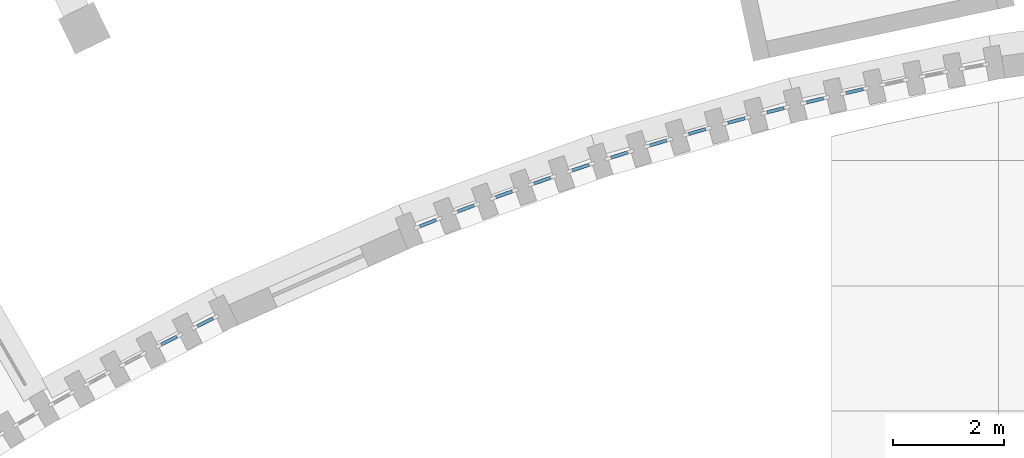
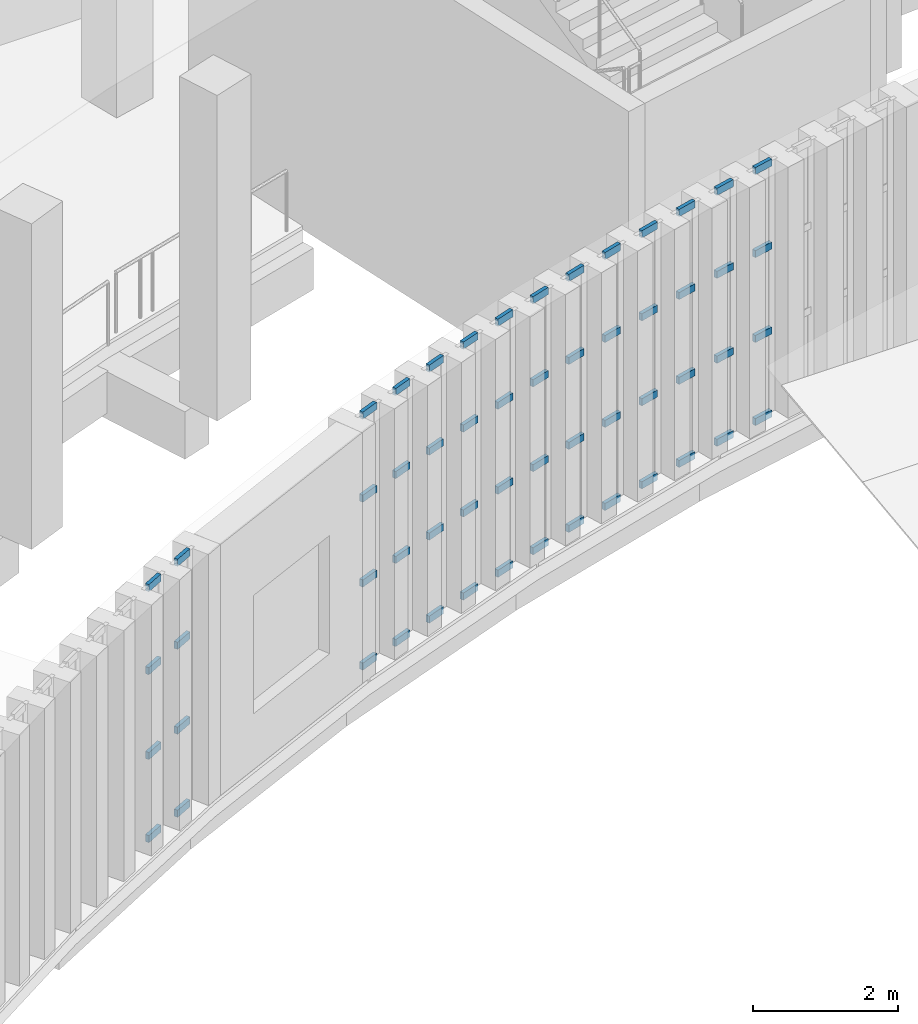
# One storey, part 33 of 112: 56 members, 14 elements without a shape of their own.
"""IFC4 building model written with IfcOpenShell, lengths in metres."""

from ifc_helpers import new_model, si_unit, direction, frame, origin, origin_2d, place, context, subcontext, project, spatial, rectangle, extrude, material, layer, layer_set, material_profile, profile_set, type_object, element, aggregate, save


model = new_model("IFC4")

# Units and contexts
model_context = context("Model", 3, precision=1e-05, world=origin(), true_north=direction((0.0, 1.0)))
body_context = subcontext(model_context, "Body", "Model", "MODEL_VIEW")
ifc_project = project(units=[si_unit("LENGTHUNIT", "METRE"), si_unit("AREAUNIT", "SQUARE_METRE"), si_unit("VOLUMEUNIT", "CUBIC_METRE"), si_unit("PLANEANGLEUNIT", "RADIAN"), si_unit("MASSUNIT", "GRAM", prefix="KILO")], contexts=[model_context])

# Site, building, storey
site_placement = place(None, origin())
site = spatial("IfcSite", under=ifc_project, at=site_placement, CompositionType="ELEMENT")
building_placement = place(site_placement, origin())
building = spatial("IfcBuilding", under=site, at=building_placement, Name="Lunette Opera House", CompositionType="ELEMENT")
storey_placement = place(building_placement, frame((0.0, 0.0, 6.0)))
storey = spatial("IfcBuildingStorey", under=building, at=storey_placement, Name="L01", CompositionType="ELEMENT", Elevation=6.0)

# Curtain wall, members
ifc_material_1 = material(Name="Aluminium", Category="aluminium")
ifc_layer = layer(ifc_material_1, 0.1201171875)
ifc_layer_set = layer_set([ifc_layer], Name="Aluminium")
curtain_wall_type = type_object("IfcCurtainWallType", Name="SLOT CURTAIN WALL", PredefinedType="NOTDEFINED", material=ifc_layer_set)
curtain_wall_1_placement = place(storey_placement, origin())
curtain_wall_1 = element("IfcCurtainWall", 1, at=curtain_wall_1_placement, inside=storey, type_object=curtain_wall_type, Name="Slot Curtain Wall CS019 L01", PredefinedType="NOTDEFINED")
ifc_material_2 = material(Name="Aluminium", Category="aluminium")
ifc_material_profile = material_profile(ifc_material_2, rectangle(XDim=0.06005859375, YDim=0.1201171875, at=origin_2d()), Name="TRANSOM 60 X 120")
ifc_profile_set = profile_set([ifc_material_profile], Name="Aluminium")
member_type = type_object("IfcMemberType", Name="TRANSOM 60 X 120", PredefinedType="USERDEFINED", material=ifc_profile_set)
member_1_placement = place(storey_placement, frame((71.956298828125, 46.4453125, 0.030029296875), z_axis=(0.889644962641, 0.456652866462, 0.0), x_axis=(-0.456652866462, 0.889644962641, 0.0)))
member_1 = element("IfcMember", 2, at=member_1_placement, type_object=member_type, Name="FC-X2038 transom 1.1", ObjectType="TRANSOM", PredefinedType="USERDEFINED", context=body_context, shape_type="SweptSolid", body=[
    extrude(rectangle(XDim=0.06005859375, YDim=0.1201171875, at=origin_2d()), origin(), (0.0, 0.0, 1.0), 0.3095703125),
])
member_2_placement = place(storey_placement, frame((71.956298828125, 46.4453125, 1.43310546875), z_axis=(0.889644962641, 0.456652866462, 0.0), x_axis=(-0.456652866462, 0.889644962641, 0.0)))
member_2 = element("IfcMember", 3, at=member_2_placement, type_object=member_type, Name="FC-X2038 transom 1.2", ObjectType="TRANSOM", PredefinedType="USERDEFINED", context=body_context, shape_type="SweptSolid", body=[
    extrude(rectangle(XDim=0.06005859375, YDim=0.1201171875, at=origin_2d()), origin(), (0.0, 0.0, 1.0), 0.3095703125),
])
member_3_placement = place(storey_placement, frame((71.956298828125, 46.4453125, 2.866943359375), z_axis=(0.889644962641, 0.456652866462, 0.0), x_axis=(-0.456652866462, 0.889644962641, 0.0)))
member_3 = element("IfcMember", 4, at=member_3_placement, type_object=member_type, Name="FC-X2038 transom 1.3", ObjectType="TRANSOM", PredefinedType="USERDEFINED", context=body_context, shape_type="SweptSolid", body=[
    extrude(rectangle(XDim=0.06005859375, YDim=0.1201171875, at=origin_2d()), origin(), (0.0, 0.0, 1.0), 0.3095703125),
])
member_4_placement = place(storey_placement, frame((71.956298828125, 46.4453125, 4.27001953125), z_axis=(0.889644962641, 0.456652866462, 0.0), x_axis=(-0.456652866462, 0.889644962641, 0.0)))
member_4 = element("IfcMember", 5, at=member_4_placement, type_object=member_type, Name="FC-X2038 transom 1.4", ObjectType="TRANSOM", PredefinedType="USERDEFINED", context=body_context, shape_type="SweptSolid", body=[
    extrude(rectangle(XDim=0.06005859375, YDim=0.1201171875, at=origin_2d()), origin(), (0.0, 0.0, 1.0), 0.3095703125),
])
aggregate(curtain_wall_1, [member_1, member_2, member_3, member_4])

curtain_wall_2_placement = place(storey_placement, origin())
curtain_wall_2 = element("IfcCurtainWall", 6, at=curtain_wall_2_placement, inside=storey, type_object=curtain_wall_type, Name="Slot Curtain Wall CS020 L01", PredefinedType="NOTDEFINED")
member_5_placement = place(storey_placement, frame((72.606689453125, 46.776611328125, 0.030029296875), z_axis=(0.895840911293, 0.444374911143, 0.0), x_axis=(-0.444374911143, 0.895840911293, 0.0)))
member_5 = element("IfcMember", 7, at=member_5_placement, type_object=member_type, Name="FC-X2040 transom 1.1", ObjectType="TRANSOM", PredefinedType="USERDEFINED", context=body_context, shape_type="SweptSolid", body=[
    extrude(rectangle(XDim=0.06005859375, YDim=0.1201171875, at=origin_2d()), origin(), (0.0, 0.0, 1.0), 0.309814453125),
])
member_6_placement = place(storey_placement, frame((72.606689453125, 46.776611328125, 1.43310546875), z_axis=(0.895840911293, 0.444374911143, 0.0), x_axis=(-0.444374911143, 0.895840911293, 0.0)))
member_6 = element("IfcMember", 8, at=member_6_placement, type_object=member_type, Name="FC-X2040 transom 1.2", ObjectType="TRANSOM", PredefinedType="USERDEFINED", context=body_context, shape_type="SweptSolid", body=[
    extrude(rectangle(XDim=0.06005859375, YDim=0.1201171875, at=origin_2d()), origin(), (0.0, 0.0, 1.0), 0.309814453125),
])
member_7_placement = place(storey_placement, frame((72.606689453125, 46.776611328125, 2.866943359375), z_axis=(0.895840911293, 0.444374911143, 0.0), x_axis=(-0.444374911143, 0.895840911293, 0.0)))
member_7 = element("IfcMember", 9, at=member_7_placement, type_object=member_type, Name="FC-X2040 transom 1.3", ObjectType="TRANSOM", PredefinedType="USERDEFINED", context=body_context, shape_type="SweptSolid", body=[
    extrude(rectangle(XDim=0.06005859375, YDim=0.1201171875, at=origin_2d()), origin(), (0.0, 0.0, 1.0), 0.309814453125),
])
member_8_placement = place(storey_placement, frame((72.606689453125, 46.776611328125, 4.27001953125), z_axis=(0.895840911293, 0.444374911143, 0.0), x_axis=(-0.444374911143, 0.895840911293, 0.0)))
member_8 = element("IfcMember", 10, at=member_8_placement, type_object=member_type, Name="FC-X2040 transom 1.4", ObjectType="TRANSOM", PredefinedType="USERDEFINED", context=body_context, shape_type="SweptSolid", body=[
    extrude(rectangle(XDim=0.06005859375, YDim=0.1201171875, at=origin_2d()), origin(), (0.0, 0.0, 1.0), 0.309814453125),
])
aggregate(curtain_wall_2, [member_5, member_6, member_7, member_8])

curtain_wall_3_placement = place(storey_placement, origin())
curtain_wall_3 = element("IfcCurtainWall", 11, at=curtain_wall_3_placement, inside=storey, type_object=curtain_wall_type, Name="Slot Curtain Wall CS021 L01", PredefinedType="NOTDEFINED")
member_9_placement = place(storey_placement, frame((76.602783203125, 48.570068359375, 0.030029296875), z_axis=(0.93020476491, 0.367040999533, 0.0), x_axis=(-0.367040999533, 0.93020476491, 0.0)))
member_9 = element("IfcMember", 12, at=member_9_placement, type_object=member_type, Name="FC-X2042 transom 1.1", ObjectType="TRANSOM", PredefinedType="USERDEFINED", context=body_context, shape_type="SweptSolid", body=[
    extrude(rectangle(XDim=0.06005859375, YDim=0.1201171875, at=origin_2d()), origin(), (0.0, 0.0, 1.0), 0.31005859375),
])
member_10_placement = place(storey_placement, frame((76.602783203125, 48.570068359375, 1.43310546875), z_axis=(0.93020476491, 0.367040999533, 0.0), x_axis=(-0.367040999533, 0.93020476491, 0.0)))
member_10 = element("IfcMember", 13, at=member_10_placement, type_object=member_type, Name="FC-X2042 transom 1.2", ObjectType="TRANSOM", PredefinedType="USERDEFINED", context=body_context, shape_type="SweptSolid", body=[
    extrude(rectangle(XDim=0.06005859375, YDim=0.1201171875, at=origin_2d()), origin(), (0.0, 0.0, 1.0), 0.31005859375),
])
member_11_placement = place(storey_placement, frame((76.602783203125, 48.570068359375, 2.866943359375), z_axis=(0.93020476491, 0.367040999533, 0.0), x_axis=(-0.367040999533, 0.93020476491, 0.0)))
member_11 = element("IfcMember", 14, at=member_11_placement, type_object=member_type, Name="FC-X2042 transom 1.3", ObjectType="TRANSOM", PredefinedType="USERDEFINED", context=body_context, shape_type="SweptSolid", body=[
    extrude(rectangle(XDim=0.06005859375, YDim=0.1201171875, at=origin_2d()), origin(), (0.0, 0.0, 1.0), 0.31005859375),
])
member_12_placement = place(storey_placement, frame((76.602783203125, 48.570068359375, 4.27001953125), z_axis=(0.93020476491, 0.367040999533, 0.0), x_axis=(-0.367040999533, 0.93020476491, 0.0)))
member_12 = element("IfcMember", 15, at=member_12_placement, type_object=member_type, Name="FC-X2042 transom 1.4", ObjectType="TRANSOM", PredefinedType="USERDEFINED", context=body_context, shape_type="SweptSolid", body=[
    extrude(rectangle(XDim=0.06005859375, YDim=0.1201171875, at=origin_2d()), origin(), (0.0, 0.0, 1.0), 0.31005859375),
])
aggregate(curtain_wall_3, [member_9, member_10, member_11, member_12])

curtain_wall_4_placement = place(storey_placement, origin())
curtain_wall_4 = element("IfcCurtainWall", 16, at=curtain_wall_4_placement, inside=storey, type_object=curtain_wall_type, Name="Slot Curtain Wall CS022 L01", PredefinedType="NOTDEFINED")
member_13_placement = place(storey_placement, frame((77.283203125, 48.836181640625, 0.030029296875), z_axis=(0.935321497524, 0.353798948937, 0.0), x_axis=(-0.353798948937, 0.935321497524, 0.0)))
member_13 = element("IfcMember", 17, at=member_13_placement, type_object=member_type, Name="FC-X2044 transom 1.1", ObjectType="TRANSOM", PredefinedType="USERDEFINED", context=body_context, shape_type="SweptSolid", body=[
    extrude(rectangle(XDim=0.06005859375, YDim=0.1201171875, at=origin_2d()), origin(), (0.0, 0.0, 1.0), 0.309814453125),
])
member_14_placement = place(storey_placement, frame((77.283203125, 48.836181640625, 1.43310546875), z_axis=(0.935321497524, 0.353798948937, 0.0), x_axis=(-0.353798948937, 0.935321497524, 0.0)))
member_14 = element("IfcMember", 18, at=member_14_placement, type_object=member_type, Name="FC-X2044 transom 1.2", ObjectType="TRANSOM", PredefinedType="USERDEFINED", context=body_context, shape_type="SweptSolid", body=[
    extrude(rectangle(XDim=0.06005859375, YDim=0.1201171875, at=origin_2d()), origin(), (0.0, 0.0, 1.0), 0.309814453125),
])
member_15_placement = place(storey_placement, frame((77.283203125, 48.836181640625, 2.866943359375), z_axis=(0.935321497524, 0.353798948937, 0.0), x_axis=(-0.353798948937, 0.935321497524, 0.0)))
member_15 = element("IfcMember", 19, at=member_15_placement, type_object=member_type, Name="FC-X2044 transom 1.3", ObjectType="TRANSOM", PredefinedType="USERDEFINED", context=body_context, shape_type="SweptSolid", body=[
    extrude(rectangle(XDim=0.06005859375, YDim=0.1201171875, at=origin_2d()), origin(), (0.0, 0.0, 1.0), 0.309814453125),
])
member_16_placement = place(storey_placement, frame((77.283203125, 48.836181640625, 4.27001953125), z_axis=(0.935321497524, 0.353798948937, 0.0), x_axis=(-0.353798948937, 0.935321497524, 0.0)))
member_16 = element("IfcMember", 20, at=member_16_placement, type_object=member_type, Name="FC-X2044 transom 1.4", ObjectType="TRANSOM", PredefinedType="USERDEFINED", context=body_context, shape_type="SweptSolid", body=[
    extrude(rectangle(XDim=0.06005859375, YDim=0.1201171875, at=origin_2d()), origin(), (0.0, 0.0, 1.0), 0.309814453125),
])
aggregate(curtain_wall_4, [member_13, member_14, member_15, member_16])

curtain_wall_5_placement = place(storey_placement, origin())
curtain_wall_5 = element("IfcCurtainWall", 21, at=curtain_wall_5_placement, inside=storey, type_object=curtain_wall_type, Name="Slot Curtain Wall CS023 L01", PredefinedType="NOTDEFINED")
member_17_placement = place(storey_placement, frame((77.96630859375, 49.092529296875, 0.030029296875), z_axis=(0.940114044895, 0.340860063062, 0.0), x_axis=(-0.340860063062, 0.940114044895, 0.0)))
member_17 = element("IfcMember", 22, at=member_17_placement, type_object=member_type, Name="FC-X2046 transom 1.1", ObjectType="TRANSOM", PredefinedType="USERDEFINED", context=body_context, shape_type="SweptSolid", body=[
    extrude(rectangle(XDim=0.06005859375, YDim=0.1201171875, at=origin_2d()), origin(), (0.0, 0.0, 1.0), 0.310791015625),
])
member_18_placement = place(storey_placement, frame((77.96630859375, 49.092529296875, 1.43310546875), z_axis=(0.940114044895, 0.340860063062, 0.0), x_axis=(-0.340860063062, 0.940114044895, 0.0)))
member_18 = element("IfcMember", 23, at=member_18_placement, type_object=member_type, Name="FC-X2046 transom 1.2", ObjectType="TRANSOM", PredefinedType="USERDEFINED", context=body_context, shape_type="SweptSolid", body=[
    extrude(rectangle(XDim=0.06005859375, YDim=0.1201171875, at=origin_2d()), origin(), (0.0, 0.0, 1.0), 0.310791015625),
])
member_19_placement = place(storey_placement, frame((77.96630859375, 49.092529296875, 2.866943359375), z_axis=(0.940114044895, 0.340860063062, 0.0), x_axis=(-0.340860063062, 0.940114044895, 0.0)))
member_19 = element("IfcMember", 24, at=member_19_placement, type_object=member_type, Name="FC-X2046 transom 1.3", ObjectType="TRANSOM", PredefinedType="USERDEFINED", context=body_context, shape_type="SweptSolid", body=[
    extrude(rectangle(XDim=0.06005859375, YDim=0.1201171875, at=origin_2d()), origin(), (0.0, 0.0, 1.0), 0.310791015625),
])
member_20_placement = place(storey_placement, frame((77.96630859375, 49.092529296875, 4.27001953125), z_axis=(0.940114044895, 0.340860063062, 0.0), x_axis=(-0.340860063062, 0.940114044895, 0.0)))
member_20 = element("IfcMember", 25, at=member_20_placement, type_object=member_type, Name="FC-X2046 transom 1.4", ObjectType="TRANSOM", PredefinedType="USERDEFINED", context=body_context, shape_type="SweptSolid", body=[
    extrude(rectangle(XDim=0.06005859375, YDim=0.1201171875, at=origin_2d()), origin(), (0.0, 0.0, 1.0), 0.310791015625),
])
aggregate(curtain_wall_5, [member_17, member_18, member_19, member_20])

curtain_wall_6_placement = place(storey_placement, origin())
curtain_wall_6 = element("IfcCurtainWall", 26, at=curtain_wall_6_placement, inside=storey, type_object=curtain_wall_type, Name="Slot Curtain Wall CS024 L01", PredefinedType="NOTDEFINED")
member_21_placement = place(storey_placement, frame((78.65380859375, 49.339599609375, 0.030029296875), z_axis=(0.944761579041, 0.327758384742, 0.0), x_axis=(-0.327758384742, 0.944761579041, 0.0)))
member_21 = element("IfcMember", 27, at=member_21_placement, type_object=member_type, Name="FC-X2048 transom 1.1", ObjectType="TRANSOM", PredefinedType="USERDEFINED", context=body_context, shape_type="SweptSolid", body=[
    extrude(rectangle(XDim=0.06005859375, YDim=0.1201171875, at=origin_2d()), origin(), (0.0, 0.0, 1.0), 0.310546875),
])
member_22_placement = place(storey_placement, frame((78.65380859375, 49.339599609375, 1.43310546875), z_axis=(0.944761579041, 0.327758384742, 0.0), x_axis=(-0.327758384742, 0.944761579041, 0.0)))
member_22 = element("IfcMember", 28, at=member_22_placement, type_object=member_type, Name="FC-X2048 transom 1.2", ObjectType="TRANSOM", PredefinedType="USERDEFINED", context=body_context, shape_type="SweptSolid", body=[
    extrude(rectangle(XDim=0.06005859375, YDim=0.1201171875, at=origin_2d()), origin(), (0.0, 0.0, 1.0), 0.310546875),
])
member_23_placement = place(storey_placement, frame((78.65380859375, 49.339599609375, 2.866943359375), z_axis=(0.944761579041, 0.327758384742, 0.0), x_axis=(-0.327758384742, 0.944761579041, 0.0)))
member_23 = element("IfcMember", 29, at=member_23_placement, type_object=member_type, Name="FC-X2048 transom 1.3", ObjectType="TRANSOM", PredefinedType="USERDEFINED", context=body_context, shape_type="SweptSolid", body=[
    extrude(rectangle(XDim=0.06005859375, YDim=0.1201171875, at=origin_2d()), origin(), (0.0, 0.0, 1.0), 0.310546875),
])
member_24_placement = place(storey_placement, frame((78.65380859375, 49.339599609375, 4.27001953125), z_axis=(0.944761579041, 0.327758384742, 0.0), x_axis=(-0.327758384742, 0.944761579041, 0.0)))
member_24 = element("IfcMember", 30, at=member_24_placement, type_object=member_type, Name="FC-X2048 transom 1.4", ObjectType="TRANSOM", PredefinedType="USERDEFINED", context=body_context, shape_type="SweptSolid", body=[
    extrude(rectangle(XDim=0.06005859375, YDim=0.1201171875, at=origin_2d()), origin(), (0.0, 0.0, 1.0), 0.310546875),
])
aggregate(curtain_wall_6, [member_21, member_22, member_23, member_24])

curtain_wall_7_placement = place(storey_placement, origin())
curtain_wall_7 = element("IfcCurtainWall", 31, at=curtain_wall_7_placement, inside=storey, type_object=curtain_wall_type, Name="Slot Curtain Wall CS025 L01", PredefinedType="NOTDEFINED")
member_25_placement = place(storey_placement, frame((79.344970703125, 49.576904296875, 0.030029296875), z_axis=(0.948604546286, 0.316463923325, 0.0), x_axis=(-0.316463923325, 0.948604546286, 0.0)))
member_25 = element("IfcMember", 32, at=member_25_placement, type_object=member_type, Name="FC-X2050 transom 1.1", ObjectType="TRANSOM", PredefinedType="USERDEFINED", context=body_context, shape_type="SweptSolid", body=[
    extrude(rectangle(XDim=0.06005859375, YDim=0.1201171875, at=origin_2d()), origin(), (0.0, 0.0, 1.0), 0.31005859375),
])
member_26_placement = place(storey_placement, frame((79.344970703125, 49.576904296875, 1.43310546875), z_axis=(0.948604546286, 0.316463923325, 0.0), x_axis=(-0.316463923325, 0.948604546286, 0.0)))
member_26 = element("IfcMember", 33, at=member_26_placement, type_object=member_type, Name="FC-X2050 transom 1.2", ObjectType="TRANSOM", PredefinedType="USERDEFINED", context=body_context, shape_type="SweptSolid", body=[
    extrude(rectangle(XDim=0.06005859375, YDim=0.1201171875, at=origin_2d()), origin(), (0.0, 0.0, 1.0), 0.31005859375),
])
member_27_placement = place(storey_placement, frame((79.344970703125, 49.576904296875, 2.866943359375), z_axis=(0.948604546286, 0.316463923325, 0.0), x_axis=(-0.316463923325, 0.948604546286, 0.0)))
member_27 = element("IfcMember", 34, at=member_27_placement, type_object=member_type, Name="FC-X2050 transom 1.3", ObjectType="TRANSOM", PredefinedType="USERDEFINED", context=body_context, shape_type="SweptSolid", body=[
    extrude(rectangle(XDim=0.06005859375, YDim=0.1201171875, at=origin_2d()), origin(), (0.0, 0.0, 1.0), 0.31005859375),
])
member_28_placement = place(storey_placement, frame((79.344970703125, 49.576904296875, 4.27001953125), z_axis=(0.948604546286, 0.316463923325, 0.0), x_axis=(-0.316463923325, 0.948604546286, 0.0)))
member_28 = element("IfcMember", 35, at=member_28_placement, type_object=member_type, Name="FC-X2050 transom 1.4", ObjectType="TRANSOM", PredefinedType="USERDEFINED", context=body_context, shape_type="SweptSolid", body=[
    extrude(rectangle(XDim=0.06005859375, YDim=0.1201171875, at=origin_2d()), origin(), (0.0, 0.0, 1.0), 0.31005859375),
])
aggregate(curtain_wall_7, [member_25, member_26, member_27, member_28])

curtain_wall_8_placement = place(storey_placement, origin())
curtain_wall_8 = element("IfcCurtainWall", 36, at=curtain_wall_8_placement, inside=storey, type_object=curtain_wall_type, Name="Slot Curtain Wall CS026 L01", PredefinedType="NOTDEFINED")
member_29_placement = place(storey_placement, frame((80.0380859375, 49.80419921875, 0.030029296875), z_axis=(0.953225106294, 0.302261305381, 0.0), x_axis=(-0.302261305381, 0.953225106294, 0.0)))
member_29 = element("IfcMember", 37, at=member_29_placement, type_object=member_type, Name="FC-X2052 transom 1.1", ObjectType="TRANSOM", PredefinedType="USERDEFINED", context=body_context, shape_type="SweptSolid", body=[
    extrude(rectangle(XDim=0.06005859375, YDim=0.1201171875, at=origin_2d()), origin(), (0.0, 0.0, 1.0), 0.31005859375),
])
member_30_placement = place(storey_placement, frame((80.0380859375, 49.80419921875, 1.43310546875), z_axis=(0.953225106294, 0.302261305381, 0.0), x_axis=(-0.302261305381, 0.953225106294, 0.0)))
member_30 = element("IfcMember", 38, at=member_30_placement, type_object=member_type, Name="FC-X2052 transom 1.2", ObjectType="TRANSOM", PredefinedType="USERDEFINED", context=body_context, shape_type="SweptSolid", body=[
    extrude(rectangle(XDim=0.06005859375, YDim=0.1201171875, at=origin_2d()), origin(), (0.0, 0.0, 1.0), 0.31005859375),
])
member_31_placement = place(storey_placement, frame((80.0380859375, 49.80419921875, 2.866943359375), z_axis=(0.953225106294, 0.302261305381, 0.0), x_axis=(-0.302261305381, 0.953225106294, 0.0)))
member_31 = element("IfcMember", 39, at=member_31_placement, type_object=member_type, Name="FC-X2052 transom 1.3", ObjectType="TRANSOM", PredefinedType="USERDEFINED", context=body_context, shape_type="SweptSolid", body=[
    extrude(rectangle(XDim=0.06005859375, YDim=0.1201171875, at=origin_2d()), origin(), (0.0, 0.0, 1.0), 0.31005859375),
])
member_32_placement = place(storey_placement, frame((80.0380859375, 49.80419921875, 4.27001953125), z_axis=(0.953225106294, 0.302261305381, 0.0), x_axis=(-0.302261305381, 0.953225106294, 0.0)))
member_32 = element("IfcMember", 40, at=member_32_placement, type_object=member_type, Name="FC-X2052 transom 1.4", ObjectType="TRANSOM", PredefinedType="USERDEFINED", context=body_context, shape_type="SweptSolid", body=[
    extrude(rectangle(XDim=0.06005859375, YDim=0.1201171875, at=origin_2d()), origin(), (0.0, 0.0, 1.0), 0.31005859375),
])
aggregate(curtain_wall_8, [member_29, member_30, member_31, member_32])

curtain_wall_9_placement = place(storey_placement, origin())
curtain_wall_9 = element("IfcCurtainWall", 41, at=curtain_wall_9_placement, inside=storey, type_object=curtain_wall_type, Name="Slot Curtain Wall CS027 L01", PredefinedType="NOTDEFINED")
member_33_placement = place(storey_placement, frame((80.7353515625, 50.0224609375, 0.030029296875), z_axis=(0.956978097931, 0.290160162807, 0.0), x_axis=(-0.290160162807, 0.956978097931, 0.0)))
member_33 = element("IfcMember", 42, at=member_33_placement, type_object=member_type, Name="FC-X2054 transom 1.1", ObjectType="TRANSOM", PredefinedType="USERDEFINED", context=body_context, shape_type="SweptSolid", body=[
    extrude(rectangle(XDim=0.06005859375, YDim=0.1201171875, at=origin_2d()), origin(), (0.0, 0.0, 1.0), 0.310546875),
])
member_34_placement = place(storey_placement, frame((80.7353515625, 50.0224609375, 1.43310546875), z_axis=(0.956978097931, 0.290160162807, 0.0), x_axis=(-0.290160162807, 0.956978097931, 0.0)))
member_34 = element("IfcMember", 43, at=member_34_placement, type_object=member_type, Name="FC-X2054 transom 1.2", ObjectType="TRANSOM", PredefinedType="USERDEFINED", context=body_context, shape_type="SweptSolid", body=[
    extrude(rectangle(XDim=0.06005859375, YDim=0.1201171875, at=origin_2d()), origin(), (0.0, 0.0, 1.0), 0.310546875),
])
member_35_placement = place(storey_placement, frame((80.7353515625, 50.0224609375, 2.866943359375), z_axis=(0.956978097931, 0.290160162807, 0.0), x_axis=(-0.290160162807, 0.956978097931, 0.0)))
member_35 = element("IfcMember", 44, at=member_35_placement, type_object=member_type, Name="FC-X2054 transom 1.3", ObjectType="TRANSOM", PredefinedType="USERDEFINED", context=body_context, shape_type="SweptSolid", body=[
    extrude(rectangle(XDim=0.06005859375, YDim=0.1201171875, at=origin_2d()), origin(), (0.0, 0.0, 1.0), 0.310546875),
])
member_36_placement = place(storey_placement, frame((80.7353515625, 50.0224609375, 4.27001953125), z_axis=(0.956978097931, 0.290160162807, 0.0), x_axis=(-0.290160162807, 0.956978097931, 0.0)))
member_36 = element("IfcMember", 45, at=member_36_placement, type_object=member_type, Name="FC-X2054 transom 1.4", ObjectType="TRANSOM", PredefinedType="USERDEFINED", context=body_context, shape_type="SweptSolid", body=[
    extrude(rectangle(XDim=0.06005859375, YDim=0.1201171875, at=origin_2d()), origin(), (0.0, 0.0, 1.0), 0.310546875),
])
aggregate(curtain_wall_9, [member_33, member_34, member_35, member_36])

curtain_wall_10_placement = place(storey_placement, origin())
curtain_wall_10 = element("IfcCurtainWall", 46, at=curtain_wall_10_placement, inside=storey, type_object=curtain_wall_type, Name="Slot Curtain Wall CS028 L01", PredefinedType="NOTDEFINED")
member_37_placement = place(storey_placement, frame((81.4345703125, 50.23046875, 0.030029296875), z_axis=(0.96104845095, 0.276379946679, 0.0), x_axis=(-0.276379946679, 0.96104845095, 0.0)))
member_37 = element("IfcMember", 47, at=member_37_placement, type_object=member_type, Name="FC-X2056 transom 1.1", ObjectType="TRANSOM", PredefinedType="USERDEFINED", context=body_context, shape_type="SweptSolid", body=[
    extrude(rectangle(XDim=0.06005859375, YDim=0.1201171875, at=origin_2d()), origin(), (0.0, 0.0, 1.0), 0.31103515625),
])
member_38_placement = place(storey_placement, frame((81.4345703125, 50.23046875, 1.43310546875), z_axis=(0.96104845095, 0.276379946679, 0.0), x_axis=(-0.276379946679, 0.96104845095, 0.0)))
member_38 = element("IfcMember", 48, at=member_38_placement, type_object=member_type, Name="FC-X2056 transom 1.2", ObjectType="TRANSOM", PredefinedType="USERDEFINED", context=body_context, shape_type="SweptSolid", body=[
    extrude(rectangle(XDim=0.06005859375, YDim=0.1201171875, at=origin_2d()), origin(), (0.0, 0.0, 1.0), 0.31103515625),
])
member_39_placement = place(storey_placement, frame((81.4345703125, 50.23046875, 2.866943359375), z_axis=(0.96104845095, 0.276379946679, 0.0), x_axis=(-0.276379946679, 0.96104845095, 0.0)))
member_39 = element("IfcMember", 49, at=member_39_placement, type_object=member_type, Name="FC-X2056 transom 1.3", ObjectType="TRANSOM", PredefinedType="USERDEFINED", context=body_context, shape_type="SweptSolid", body=[
    extrude(rectangle(XDim=0.06005859375, YDim=0.1201171875, at=origin_2d()), origin(), (0.0, 0.0, 1.0), 0.31103515625),
])
member_40_placement = place(storey_placement, frame((81.4345703125, 50.23046875, 4.27001953125), z_axis=(0.96104845095, 0.276379946679, 0.0), x_axis=(-0.276379946679, 0.96104845095, 0.0)))
member_40 = element("IfcMember", 50, at=member_40_placement, type_object=member_type, Name="FC-X2056 transom 1.4", ObjectType="TRANSOM", PredefinedType="USERDEFINED", context=body_context, shape_type="SweptSolid", body=[
    extrude(rectangle(XDim=0.06005859375, YDim=0.1201171875, at=origin_2d()), origin(), (0.0, 0.0, 1.0), 0.31103515625),
])
aggregate(curtain_wall_10, [member_37, member_38, member_39, member_40])

curtain_wall_11_placement = place(storey_placement, origin())
curtain_wall_11 = element("IfcCurtainWall", 51, at=curtain_wall_11_placement, inside=storey, type_object=curtain_wall_type, Name="Slot Curtain Wall CS029 L01", PredefinedType="NOTDEFINED")
member_41_placement = place(storey_placement, frame((82.137939453125, 50.4296875, 0.030029296875), z_axis=(0.965577695854, 0.260114807863, 0.0), x_axis=(-0.260114807863, 0.965577695854, 0.0)))
member_41 = element("IfcMember", 52, at=member_41_placement, type_object=member_type, Name="FC-X2058 transom 1.1", ObjectType="TRANSOM", PredefinedType="USERDEFINED", context=body_context, shape_type="SweptSolid", body=[
    extrude(rectangle(XDim=0.06005859375, YDim=0.1201171875, at=origin_2d()), origin(), (0.0, 0.0, 1.0), 0.309814453125),
])
member_42_placement = place(storey_placement, frame((82.137939453125, 50.4296875, 1.43310546875), z_axis=(0.965577695854, 0.260114807863, 0.0), x_axis=(-0.260114807863, 0.965577695854, 0.0)))
member_42 = element("IfcMember", 53, at=member_42_placement, type_object=member_type, Name="FC-X2058 transom 1.2", ObjectType="TRANSOM", PredefinedType="USERDEFINED", context=body_context, shape_type="SweptSolid", body=[
    extrude(rectangle(XDim=0.06005859375, YDim=0.1201171875, at=origin_2d()), origin(), (0.0, 0.0, 1.0), 0.309814453125),
])
member_43_placement = place(storey_placement, frame((82.137939453125, 50.4296875, 2.866943359375), z_axis=(0.965577695854, 0.260114807863, 0.0), x_axis=(-0.260114807863, 0.965577695854, 0.0)))
member_43 = element("IfcMember", 54, at=member_43_placement, type_object=member_type, Name="FC-X2058 transom 1.3", ObjectType="TRANSOM", PredefinedType="USERDEFINED", context=body_context, shape_type="SweptSolid", body=[
    extrude(rectangle(XDim=0.06005859375, YDim=0.1201171875, at=origin_2d()), origin(), (0.0, 0.0, 1.0), 0.309814453125),
])
member_44_placement = place(storey_placement, frame((82.137939453125, 50.4296875, 4.27001953125), z_axis=(0.965577695854, 0.260114807863, 0.0), x_axis=(-0.260114807863, 0.965577695854, 0.0)))
member_44 = element("IfcMember", 55, at=member_44_placement, type_object=member_type, Name="FC-X2058 transom 1.4", ObjectType="TRANSOM", PredefinedType="USERDEFINED", context=body_context, shape_type="SweptSolid", body=[
    extrude(rectangle(XDim=0.06005859375, YDim=0.1201171875, at=origin_2d()), origin(), (0.0, 0.0, 1.0), 0.309814453125),
])
aggregate(curtain_wall_11, [member_41, member_42, member_43, member_44])

curtain_wall_12_placement = place(storey_placement, origin())
curtain_wall_12 = element("IfcCurtainWall", 56, at=curtain_wall_12_placement, inside=storey, type_object=curtain_wall_type, Name="Slot Curtain Wall CS030 L01", PredefinedType="NOTDEFINED")
member_45_placement = place(storey_placement, frame((82.843017578125, 50.617919921875, 0.030029296875), z_axis=(0.968644461796, 0.248451014552, 0.0), x_axis=(-0.248451014552, 0.968644461796, 0.0)))
member_45 = element("IfcMember", 57, at=member_45_placement, type_object=member_type, Name="FC-X2060 transom 1.1", ObjectType="TRANSOM", PredefinedType="USERDEFINED", context=body_context, shape_type="SweptSolid", body=[
    extrude(rectangle(XDim=0.06005859375, YDim=0.1201171875, at=origin_2d()), origin(), (0.0, 0.0, 1.0), 0.310546875),
])
member_46_placement = place(storey_placement, frame((82.843017578125, 50.617919921875, 1.43310546875), z_axis=(0.968644461796, 0.248451014552, 0.0), x_axis=(-0.248451014552, 0.968644461796, 0.0)))
member_46 = element("IfcMember", 58, at=member_46_placement, type_object=member_type, Name="FC-X2060 transom 1.2", ObjectType="TRANSOM", PredefinedType="USERDEFINED", context=body_context, shape_type="SweptSolid", body=[
    extrude(rectangle(XDim=0.06005859375, YDim=0.1201171875, at=origin_2d()), origin(), (0.0, 0.0, 1.0), 0.310546875),
])
member_47_placement = place(storey_placement, frame((82.843017578125, 50.617919921875, 2.866943359375), z_axis=(0.968644461796, 0.248451014552, 0.0), x_axis=(-0.248451014552, 0.968644461796, 0.0)))
member_47 = element("IfcMember", 59, at=member_47_placement, type_object=member_type, Name="FC-X2060 transom 1.3", ObjectType="TRANSOM", PredefinedType="USERDEFINED", context=body_context, shape_type="SweptSolid", body=[
    extrude(rectangle(XDim=0.06005859375, YDim=0.1201171875, at=origin_2d()), origin(), (0.0, 0.0, 1.0), 0.310546875),
])
member_48_placement = place(storey_placement, frame((82.843017578125, 50.617919921875, 4.27001953125), z_axis=(0.968644461796, 0.248451014552, 0.0), x_axis=(-0.248451014552, 0.968644461796, 0.0)))
member_48 = element("IfcMember", 60, at=member_48_placement, type_object=member_type, Name="FC-X2060 transom 1.4", ObjectType="TRANSOM", PredefinedType="USERDEFINED", context=body_context, shape_type="SweptSolid", body=[
    extrude(rectangle(XDim=0.06005859375, YDim=0.1201171875, at=origin_2d()), origin(), (0.0, 0.0, 1.0), 0.310546875),
])
aggregate(curtain_wall_12, [member_45, member_46, member_47, member_48])

curtain_wall_13_placement = place(storey_placement, origin())
curtain_wall_13 = element("IfcCurtainWall", 61, at=curtain_wall_13_placement, inside=storey, type_object=curtain_wall_type, Name="Slot Curtain Wall CS031 L01", PredefinedType="NOTDEFINED")
member_49_placement = place(storey_placement, frame((83.55126953125, 50.797119140625, 0.030029296875), z_axis=(0.972100778167, 0.234563588578, 0.0), x_axis=(-0.234563588578, 0.972100778167, 0.0)))
member_49 = element("IfcMember", 62, at=member_49_placement, type_object=member_type, Name="FC-X2062 transom 1.1", ObjectType="TRANSOM", PredefinedType="USERDEFINED", context=body_context, shape_type="SweptSolid", body=[
    extrude(rectangle(XDim=0.06005859375, YDim=0.1201171875, at=origin_2d()), origin(), (0.0, 0.0, 1.0), 0.31005859375),
])
member_50_placement = place(storey_placement, frame((83.55126953125, 50.797119140625, 1.43310546875), z_axis=(0.972100778167, 0.234563588578, 0.0), x_axis=(-0.234563588578, 0.972100778167, 0.0)))
member_50 = element("IfcMember", 63, at=member_50_placement, type_object=member_type, Name="FC-X2062 transom 1.2", ObjectType="TRANSOM", PredefinedType="USERDEFINED", context=body_context, shape_type="SweptSolid", body=[
    extrude(rectangle(XDim=0.06005859375, YDim=0.1201171875, at=origin_2d()), origin(), (0.0, 0.0, 1.0), 0.31005859375),
])
member_51_placement = place(storey_placement, frame((83.55126953125, 50.797119140625, 2.866943359375), z_axis=(0.972100778167, 0.234563588578, 0.0), x_axis=(-0.234563588578, 0.972100778167, 0.0)))
member_51 = element("IfcMember", 64, at=member_51_placement, type_object=member_type, Name="FC-X2062 transom 1.3", ObjectType="TRANSOM", PredefinedType="USERDEFINED", context=body_context, shape_type="SweptSolid", body=[
    extrude(rectangle(XDim=0.06005859375, YDim=0.1201171875, at=origin_2d()), origin(), (0.0, 0.0, 1.0), 0.31005859375),
])
member_52_placement = place(storey_placement, frame((83.55126953125, 50.797119140625, 4.27001953125), z_axis=(0.972100778167, 0.234563588578, 0.0), x_axis=(-0.234563588578, 0.972100778167, 0.0)))
member_52 = element("IfcMember", 65, at=member_52_placement, type_object=member_type, Name="FC-X2062 transom 1.4", ObjectType="TRANSOM", PredefinedType="USERDEFINED", context=body_context, shape_type="SweptSolid", body=[
    extrude(rectangle(XDim=0.06005859375, YDim=0.1201171875, at=origin_2d()), origin(), (0.0, 0.0, 1.0), 0.31005859375),
])
aggregate(curtain_wall_13, [member_49, member_50, member_51, member_52])

curtain_wall_14_placement = place(storey_placement, origin())
curtain_wall_14 = element("IfcCurtainWall", 66, at=curtain_wall_14_placement, inside=storey, type_object=curtain_wall_type, Name="Slot Curtain Wall CS032 L01", PredefinedType="NOTDEFINED")
member_53_placement = place(storey_placement, frame((84.261474609375, 50.96533203125, 0.030029296875), z_axis=(0.974799972142, 0.223080734962, 0.0), x_axis=(-0.223080734962, 0.974799972142, 0.0)))
member_53 = element("IfcMember", 67, at=member_53_placement, type_object=member_type, Name="FC-X2064 transom 1.1", ObjectType="TRANSOM", PredefinedType="USERDEFINED", context=body_context, shape_type="SweptSolid", body=[
    extrude(rectangle(XDim=0.06005859375, YDim=0.1201171875, at=origin_2d()), origin(), (0.0, 0.0, 1.0), 0.310791015625),
])
member_54_placement = place(storey_placement, frame((84.261474609375, 50.96533203125, 1.43310546875), z_axis=(0.974799972142, 0.223080734962, 0.0), x_axis=(-0.223080734962, 0.974799972142, 0.0)))
member_54 = element("IfcMember", 68, at=member_54_placement, type_object=member_type, Name="FC-X2064 transom 1.2", ObjectType="TRANSOM", PredefinedType="USERDEFINED", context=body_context, shape_type="SweptSolid", body=[
    extrude(rectangle(XDim=0.06005859375, YDim=0.1201171875, at=origin_2d()), origin(), (0.0, 0.0, 1.0), 0.310791015625),
])
member_55_placement = place(storey_placement, frame((84.261474609375, 50.96533203125, 2.866943359375), z_axis=(0.974799972142, 0.223080734962, 0.0), x_axis=(-0.223080734962, 0.974799972142, 0.0)))
member_55 = element("IfcMember", 69, at=member_55_placement, type_object=member_type, Name="FC-X2064 transom 1.3", ObjectType="TRANSOM", PredefinedType="USERDEFINED", context=body_context, shape_type="SweptSolid", body=[
    extrude(rectangle(XDim=0.06005859375, YDim=0.1201171875, at=origin_2d()), origin(), (0.0, 0.0, 1.0), 0.310791015625),
])
member_56_placement = place(storey_placement, frame((84.261474609375, 50.96533203125, 4.27001953125), z_axis=(0.974799972142, 0.223080734962, 0.0), x_axis=(-0.223080734962, 0.974799972142, 0.0)))
member_56 = element("IfcMember", 70, at=member_56_placement, type_object=member_type, Name="FC-X2064 transom 1.4", ObjectType="TRANSOM", PredefinedType="USERDEFINED", context=body_context, shape_type="SweptSolid", body=[
    extrude(rectangle(XDim=0.06005859375, YDim=0.1201171875, at=origin_2d()), origin(), (0.0, 0.0, 1.0), 0.310791015625),
])
aggregate(curtain_wall_14, [member_53, member_54, member_55, member_56])

save(model, "model.ifc")
